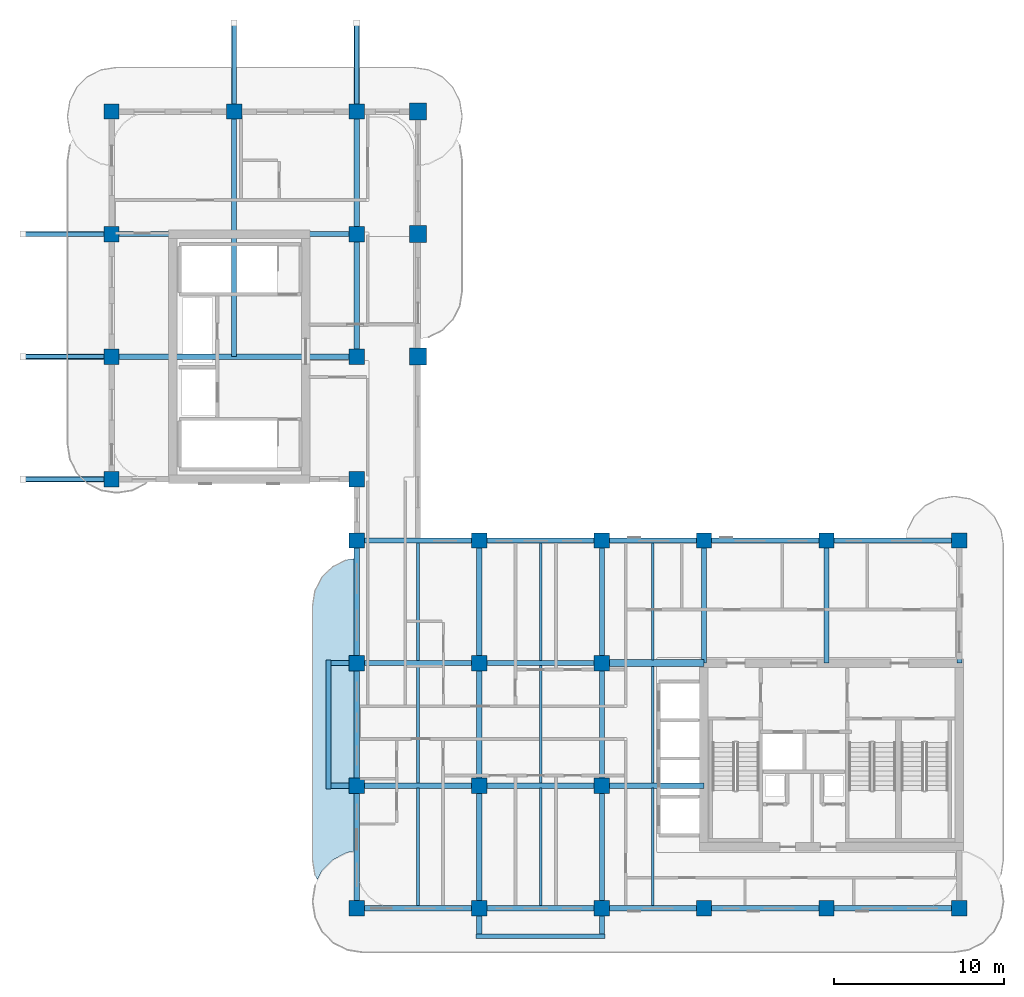
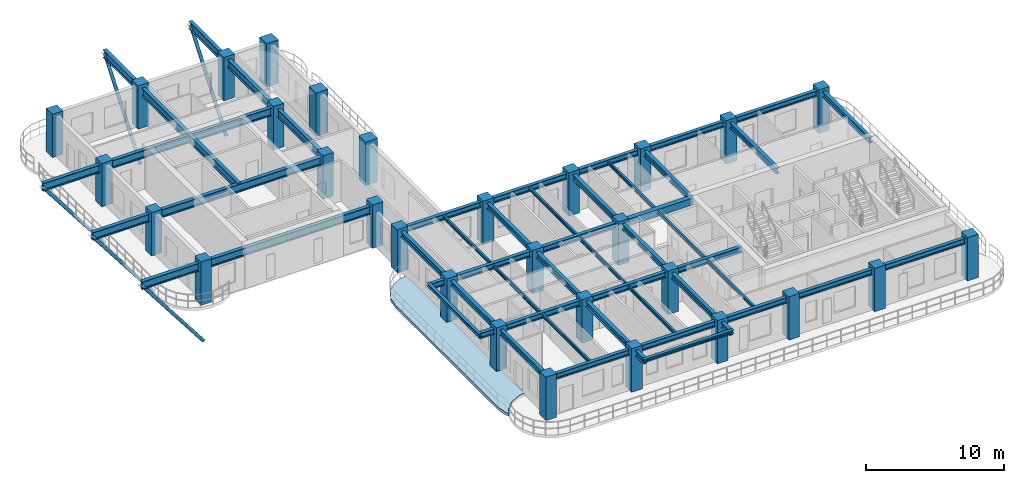
# One storey, part 1 of 14: 44 beams, 30 columns, 5 members, 1 slab.
"""IFC4 building model written with IfcOpenShell, lengths in metres."""

from ifc_helpers import new_model, si_unit, derived_unit, direction, frame, origin, origin_2d, place, context, subcontext, project, spatial, polyline, rectangle, hollow_circle, i_section, outline, extrude, source, transform, mapped, material, layer, layer_set, material_profile, profile_set, type_object, type_shapes, element, save


model = new_model("IFC4")

# Units and contexts
model_context = context("Model", 3, precision=1e-05, world=origin(), true_north=direction((0.0, 1.0)))
body_context = subcontext(model_context, "Body", "Model", "MODEL_VIEW")
ifc_project = project(units=[si_unit("LENGTHUNIT", "METRE"), si_unit("AREAUNIT", "SQUARE_METRE"), si_unit("VOLUMEUNIT", "CUBIC_METRE"), si_unit("PLANEANGLEUNIT", "RADIAN"), si_unit("MASSUNIT", "GRAM", prefix="KILO"), si_unit("THERMODYNAMICTEMPERATUREUNIT", "KELVIN"), si_unit("POWERUNIT", "WATT"), derived_unit("THERMALTRANSMITTANCEUNIT", [(si_unit("POWERUNIT", "WATT"), 1), (si_unit("AREAUNIT", "SQUARE_METRE"), -1), (si_unit("THERMODYNAMICTEMPERATUREUNIT", "KELVIN"), -1)])], contexts=[model_context])

# Site, building, storey
site_placement = place(None, origin())
site = spatial("IfcSite", under=ifc_project, at=site_placement, CompositionType="ELEMENT")
building_placement = place(site_placement, origin())
building = spatial("IfcBuilding", under=site, at=building_placement, Name="Zahravan Archway Hotel and Residences", CompositionType="ELEMENT")
storey_placement = place(building_placement, frame((0.0, 0.0, 209.60009765625)))
storey = spatial("IfcBuildingStorey", under=building, at=storey_placement, Name="L52", CompositionType="ELEMENT", Elevation=209.60009765625)

# Columns
ifc_material_1 = material(Name="Concrete C60/75", Category="concrete")
ifc_material_profile_1 = material_profile(ifc_material_1, rectangle(XDim=1.0, YDim=1.0, at=origin_2d()), Name="RC-COL-1000x1000", Category="concrete")
ifc_profile_set_1 = profile_set([ifc_material_profile_1], Name="Concrete C60/75")
column_type_1 = type_object("IfcColumnType", Name="COL-RC-1000", PredefinedType="COLUMN", material=ifc_profile_set_1)
shared_shape_1 = source(origin(), body_context, "Body", "SweptSolid", [
    extrude(rectangle(XDim=1.0, YDim=1.0, at=origin_2d()), origin(), (0.0, 0.0, 1.0), 3.849853515625),
])
for number, where, z_axis, x_axis, name in (
    (1, (18.0, 32.39990234375, 0.0), (0.0, 0.0, 1.0), (1.0, 0.0, 0.0), "L52 Column 3B-F"),
    (2, (18.0, 39.60009765625, 0.0), (0.0, 0.0, 1.0), (1.0, 0.0, 0.0), "L52 Column 3B-G"),
    (3, (18.0, 46.800048828125, 0.0), (0.0, 0.0, 1.0), (1.0, 0.0, 0.0), "L52 Column 3B-H"),
):
    element("IfcColumn", number, at=place(storey_placement, frame(where, z_axis=z_axis, x_axis=x_axis)), inside=storey, type_object=column_type_1, Name=name, PredefinedType="COLUMN", context=body_context, shape_type="MappedRepresentation", body=[
        mapped(shared_shape_1, transform((0.0, 0.0, 0.0), scale=1.0)),
    ])
ifc_material_profile_2 = material_profile(ifc_material_1, rectangle(XDim=0.89990234375, YDim=0.89990234375, at=origin_2d()), Name="RC-COL-900x900", Category="concrete")
ifc_profile_set_2 = profile_set([ifc_material_profile_2], Name="Concrete C60/75")
column_type_2 = type_object("IfcColumnType", Name="COL-RC-900", PredefinedType="COLUMN", material=ifc_profile_set_2)
shared_shape_2 = source(origin(), body_context, "Body", "SweptSolid", [
    extrude(rectangle(XDim=0.89990234375, YDim=0.89990234375, at=origin_2d()), origin(), (0.0, 0.0, 1.0), 3.849853515625),
])
for number, where, z_axis, x_axis, name in (
    (4, (0.0, 25.199951171875, 0.0), (0.0, 0.0, 1.0), (1.0, 0.0, 0.0), "L52 Column 1-E"),
    (5, (0.0, 32.39990234375, 0.0), (0.0, 0.0, 1.0), (1.0, 0.0, 0.0), "L52 Column 1-F"),
    (6, (0.0, 39.60009765625, 0.0), (0.0, 0.0, 1.0), (1.0, 0.0, 0.0), "L52 Column 1-G"),
    (7, (0.0, 46.800048828125, 0.0), (0.0, 0.0, 1.0), (1.0, 0.0, 0.0), "L52 Column 1-H"),
    (8, (7.199951171875, 46.800048828125, 0.0), (0.0, 0.0, 1.0), (1.0, 0.0, 0.0), "L52 Column 2-H"),
    (9, (14.39990234375, 0.0, 0.0), (0.0, 0.0, 1.0), (1.0, 0.0, 0.0), "L52 Column 3-A"),
    (10, (14.39990234375, 7.199951171875, 0.0), (0.0, 0.0, 1.0), (1.0, 0.0, 0.0), "L52 Column 3-B"),
    (11, (14.39990234375, 14.39990234375, 0.0), (0.0, 0.0, 1.0), (1.0, 0.0, 0.0), "L52 Column 3-C"),
    (12, (14.39990234375, 21.60009765625, 0.0), (0.0, 0.0, 1.0), (1.0, 0.0, 0.0), "L52 Column 3-D"),
    (13, (14.39990234375, 25.199951171875, 0.0), (0.0, 0.0, 1.0), (1.0, 0.0, 0.0), "L52 Column 3-E"),
    (14, (14.39990234375, 32.39990234375, 0.0), (0.0, 0.0, 1.0), (1.0, 0.0, 0.0), "L52 Column 3-F"),
    (15, (14.39990234375, 39.60009765625, 0.0), (0.0, 0.0, 1.0), (1.0, 0.0, 0.0), "L52 Column 3-G"),
    (16, (14.39990234375, 46.800048828125, 0.0), (0.0, 0.0, 1.0), (1.0, 0.0, 0.0), "L52 Column 3-H"),
    (17, (21.60009765625, 0.0, 0.0), (0.0, 0.0, 1.0), (1.0, 0.0, 0.0), "L52 Column 4-A"),
    (18, (21.60009765625, 7.199951171875, 0.0), (0.0, 0.0, 1.0), (1.0, 0.0, 0.0), "L52 Column 4-B"),
    (19, (21.60009765625, 14.39990234375, 0.0), (0.0, 0.0, 1.0), (1.0, 0.0, 0.0), "L52 Column 4-C"),
    (20, (21.60009765625, 21.60009765625, 0.0), (0.0, 0.0, 1.0), (1.0, 0.0, 0.0), "L52 Column 4-D"),
    (21, (28.800048828125, 0.0, 0.0), (0.0, 0.0, 1.0), (1.0, 0.0, 0.0), "L52 Column 5-A"),
    (22, (28.800048828125, 7.199951171875, 0.0), (0.0, 0.0, 1.0), (1.0, 0.0, 0.0), "L52 Column 5-B"),
    (23, (28.800048828125, 14.39990234375, 0.0), (0.0, 0.0, 1.0), (1.0, 0.0, 0.0), "L52 Column 5-C"),
    (24, (28.800048828125, 21.60009765625, 0.0), (0.0, 0.0, 1.0), (1.0, 0.0, 0.0), "L52 Column 5-D"),
    (25, (34.800048828125, 0.0, 0.0), (0.0, 0.0, 1.0), (1.0, 0.0, 0.0), "L52 Column 6-A"),
    (26, (34.800048828125, 21.60009765625, 0.0), (0.0, 0.0, 1.0), (1.0, 0.0, 0.0), "L52 Column 6-D"),
    (27, (42.0, 0.0, 0.0), (0.0, 0.0, 1.0), (1.0, 0.0, 0.0), "L52 Column 7-A"),
    (28, (42.0, 21.60009765625, 0.0), (0.0, 0.0, 1.0), (1.0, 0.0, 0.0), "L52 Column 7-D"),
    (29, (49.800048828125, 0.0, 0.0), (0.0, 0.0, 1.0), (1.0, 0.0, 0.0), "L52 Column 8-A"),
    (30, (49.800048828125, 21.60009765625, 0.0), (0.0, 0.0, 1.0), (1.0, 0.0, 0.0), "L52 Column 8-D"),
):
    element("IfcColumn", number, at=place(storey_placement, frame(where, z_axis=z_axis, x_axis=x_axis)), inside=storey, type_object=column_type_2, Name=name, PredefinedType="COLUMN", context=body_context, shape_type="MappedRepresentation", body=[
        mapped(shared_shape_2, transform((0.0, 0.0, 0.0), scale=1.0)),
    ])

# Beams
ifc_material_2 = material(Name="Structural Steel S355JR", Category="steel")
ifc_material_profile_3 = material_profile(ifc_material_2, i_section(OverallWidth=0.280029296875, OverallDepth=0.280029296875, WebThickness=0.010498046875, FlangeThickness=0.01806640625, FilletRadius=0.02392578125, at=origin_2d()), Name="HEB 280", Category="steel")
ifc_profile_set_3 = profile_set([ifc_material_profile_3], Name="Structural Steel S355JR")
beam_type_1 = type_object("IfcBeamType", Name="BM-SPN-HEB280", PredefinedType="SPANDREL", material=ifc_profile_set_3)
shared_shape_3 = source(origin(), body_context, "Body", "SweptSolid", [
    extrude(i_section(OverallWidth=0.280029296875, OverallDepth=0.280029296875, WebThickness=0.010498046875, FlangeThickness=0.01806640625, FilletRadius=0.02392578125, at=origin_2d()), origin(), (0.0, 0.0, 1.0), 7.56005859375),
])
type_shapes(beam_type_1, [shared_shape_3])
for number, where, z_axis, x_axis, name in (
    (31, (12.75, 7.02001953125, 3.4599609375), (0.0, 1.0, 0.0), (-1.0, 0.0, 0.0), "L53 WA Balcony Edge Spandrel"),
    (32, (21.419921875, -1.64990234375, 3.4599609375), (1.0, 0.0, 0.0), (0.0, 1.0, 0.0), "L53 SA Balcony Edge Spandrel"),
):
    element("IfcBeam", number, at=place(storey_placement, frame(where, z_axis=z_axis, x_axis=x_axis)), inside=storey, type_object=beam_type_1, Name=name, PredefinedType="SPANDREL", context=body_context, shape_type="MappedRepresentation", body=[
        mapped(shared_shape_3, transform((0.0, 0.0, 0.0), scale=1.0)),
    ])
ifc_material_profile_4 = material_profile(ifc_material_1, rectangle(XDim=0.39990234375, YDim=0.60009765625, at=origin_2d()), Name="RC-LNT-400x600", Category="concrete")
ifc_profile_set_4 = profile_set([ifc_material_profile_4], Name="Concrete C60/75")
beam_type_2 = type_object("IfcBeamType", Name="LNT-RC-400x600", PredefinedType="LINTEL", material=ifc_profile_set_4)
shared_shape_4 = source(origin(), body_context, "Body", "SweptSolid", [
    extrude(rectangle(XDim=0.39990234375, YDim=0.60009765625, at=origin_2d()), origin(), (0.0, 0.0, 1.0), 6.0),
])
type_shapes(beam_type_2, [shared_shape_4])
beam_placement = place(storey_placement, frame((28.800048828125, 14.39990234375, 3.2998046875), z_axis=(1.0, 0.0, 0.0), x_axis=(0.0, 1.0, 0.0)))
element("IfcBeam", 33, at=beam_placement, inside=storey, type_object=beam_type_2, Name="L52 Core A Coupling Lintel Beam", PredefinedType="LINTEL", context=body_context, shape_type="MappedRepresentation", body=[
    mapped(shared_shape_4, transform((0.0, 0.0, 0.0), scale=1.0)),
])
ifc_material_profile_5 = material_profile(ifc_material_2, i_section(OverallWidth=0.300048828125, OverallDepth=0.5, WebThickness=0.014404296875, FlangeThickness=0.028076171875, FilletRadius=0.027099609375, at=origin_2d()), Name="HEB 500", Category="steel")
ifc_profile_set_5 = profile_set([ifc_material_profile_5], Name="Structural Steel S355JR")
beam_type_3 = type_object("IfcBeamType", Name="BM-PRI-HEB500", PredefinedType="BEAM", material=ifc_profile_set_5)
shared_shape_5 = source(origin(), body_context, "Body", "SweptSolid", [
    extrude(i_section(OverallWidth=0.300048828125, OverallDepth=0.5, WebThickness=0.014404296875, FlangeThickness=0.028076171875, FilletRadius=0.027099609375, at=origin_2d()), origin(), (0.0, 0.0, 1.0), 7.2001953125),
])
type_shapes(beam_type_3, [shared_shape_5])
for number, where, z_axis, x_axis, name in (
    (34, (14.39990234375, 0.0, 3.349853515625), (1.0, 0.0, 0.0), (0.0, 1.0, 0.0), "L52 Primary Girder EW-01"),
    (35, (14.39990234375, 21.60009765625, 3.349853515625), (1.0, 0.0, 0.0), (0.0, 1.0, 0.0), "L52 Primary Girder EW-11"),
    (36, (14.39990234375, 14.39990234375, 3.349853515625), (0.0, 1.0, 0.0), (-1.0, 0.0, 0.0), "L52 Primary Girder NS-18"),
    (37, (21.60009765625, 14.39990234375, 3.349853515625), (0.0, 1.0, 0.0), (-1.0, 0.0, 0.0), "L52 Primary Girder NS-21"),
    (38, (28.800048828125, 14.39990234375, 3.349853515625), (0.0, 1.0, 0.0), (-1.0, 0.0, 0.0), "L52 Primary Girder NS-24"),
    (39, (34.800048828125, 14.39990234375, 3.349853515625), (0.0, 1.0, 0.0), (-1.0, 0.0, 0.0), "L52 Primary Girder NS-25"),
    (40, (42.0, 14.39990234375, 3.349853515625), (0.0, 1.0, 0.0), (-1.0, 0.0, 0.0), "L52 Primary Girder NS-26"),
    (41, (49.800048828125, 14.39990234375, 3.349853515625), (0.0, 1.0, 0.0), (-1.0, 0.0, 0.0), "L52 Primary Girder NS-27"),
):
    element("IfcBeam", number, at=place(storey_placement, frame(where, z_axis=z_axis, x_axis=x_axis)), inside=storey, type_object=beam_type_3, Name=name, PredefinedType="BEAM", context=body_context, shape_type="MappedRepresentation", body=[
        mapped(shared_shape_5, transform((0.0, 0.0, 0.0), scale=1.0)),
    ])
shared_shape_6 = source(origin(), body_context, "Body", "SweptSolid", [
    extrude(i_section(OverallWidth=0.300048828125, OverallDepth=0.5, WebThickness=0.014404296875, FlangeThickness=0.028076171875, FilletRadius=0.027099609375, at=origin_2d()), origin(), (0.0, 0.0, 1.0), 7.199951171875),
])
for number, where, z_axis, x_axis, name in (
    (42, (21.60009765625, 0.0, 3.349853515625), (1.0, 0.0, 0.0), (0.0, 1.0, 0.0), "L52 Primary Girder EW-02"),
    (43, (34.800048828125, 0.0, 3.349853515625), (1.0, 0.0, 0.0), (0.0, 1.0, 0.0), "L52 Primary Girder EW-04"),
    (44, (21.60009765625, 7.199951171875, 3.349853515625), (1.0, 0.0, 0.0), (0.0, 1.0, 0.0), "L52 Primary Girder EW-07"),
    (45, (21.60009765625, 14.39990234375, 3.349853515625), (1.0, 0.0, 0.0), (0.0, 1.0, 0.0), "L52 Primary Girder EW-10"),
    (46, (21.60009765625, 21.60009765625, 3.349853515625), (1.0, 0.0, 0.0), (0.0, 1.0, 0.0), "L52 Primary Girder EW-12"),
    (47, (34.800048828125, 21.60009765625, 3.349853515625), (1.0, 0.0, 0.0), (0.0, 1.0, 0.0), "L52 Primary Girder EW-14"),
    (48, (14.39990234375, 0.0, 3.349853515625), (0.0, 1.0, 0.0), (-1.0, 0.0, 0.0), "L52 Primary Girder NS-16"),
    (49, (14.39990234375, 7.199951171875, 3.349853515625), (0.0, 1.0, 0.0), (-1.0, 0.0, 0.0), "L52 Primary Girder NS-17"),
    (50, (21.60009765625, 7.199951171875, 3.349853515625), (0.0, 1.0, 0.0), (-1.0, 0.0, 0.0), "L52 Primary Girder NS-20"),
    (51, (28.800048828125, 7.199951171875, 3.349853515625), (0.0, 1.0, 0.0), (-1.0, 0.0, 0.0), "L52 Primary Girder NS-23"),
):
    element("IfcBeam", number, at=place(storey_placement, frame(where, z_axis=z_axis, x_axis=x_axis)), inside=storey, type_object=beam_type_3, Name=name, PredefinedType="BEAM", context=body_context, shape_type="MappedRepresentation", body=[
        mapped(shared_shape_6, transform((0.0, 0.0, 0.0), scale=1.0)),
    ])
shared_shape_7 = source(origin(), body_context, "Body", "SweptSolid", [
    extrude(i_section(OverallWidth=0.300048828125, OverallDepth=0.5, WebThickness=0.014404296875, FlangeThickness=0.028076171875, FilletRadius=0.027099609375, at=origin_2d()), origin(), (0.0, 0.0, 1.0), 6.0),
])
for number, where, z_axis, x_axis, name in (
    (52, (28.800048828125, 0.0, 3.349853515625), (1.0, 0.0, 0.0), (0.0, 1.0, 0.0), "L52 Primary Girder EW-03"),
    (53, (28.800048828125, 7.199951171875, 3.349853515625), (1.0, 0.0, 0.0), (0.0, 1.0, 0.0), "L52 Primary Girder EW-08"),
    (54, (28.800048828125, 21.60009765625, 3.349853515625), (1.0, 0.0, 0.0), (0.0, 1.0, 0.0), "L52 Primary Girder EW-13"),
):
    element("IfcBeam", number, at=place(storey_placement, frame(where, z_axis=z_axis, x_axis=x_axis)), inside=storey, type_object=beam_type_3, Name=name, PredefinedType="BEAM", context=body_context, shape_type="MappedRepresentation", body=[
        mapped(shared_shape_7, transform((0.0, 0.0, 0.0), scale=1.0)),
    ])
shared_shape_8 = source(origin(), body_context, "Body", "SweptSolid", [
    extrude(i_section(OverallWidth=0.300048828125, OverallDepth=0.5, WebThickness=0.014404296875, FlangeThickness=0.028076171875, FilletRadius=0.027099609375, at=origin_2d()), origin(), (0.0, 0.0, 1.0), 7.800048828125),
])
for number, where, z_axis, x_axis, name in (
    (55, (42.0, 0.0, 3.349853515625), (1.0, 0.0, 0.0), (0.0, 1.0, 0.0), "L52 Primary Girder EW-05"),
    (56, (42.0, 21.60009765625, 3.349853515625), (1.0, 0.0, 0.0), (0.0, 1.0, 0.0), "L52 Primary Girder EW-15"),
):
    element("IfcBeam", number, at=place(storey_placement, frame(where, z_axis=z_axis, x_axis=x_axis)), inside=storey, type_object=beam_type_3, Name=name, PredefinedType="BEAM", context=body_context, shape_type="MappedRepresentation", body=[
        mapped(shared_shape_8, transform((0.0, 0.0, 0.0), scale=1.0)),
    ])
shared_shape_9 = source(origin(), body_context, "Body", "SweptSolid", [
    extrude(i_section(OverallWidth=0.300048828125, OverallDepth=0.5, WebThickness=0.014404296875, FlangeThickness=0.028076171875, FilletRadius=0.027099609375, at=origin_2d()), origin(), (0.0, 0.0, 1.0), 8.85009765625),
])
for number, where, z_axis, x_axis, name in (
    (57, (12.75, 7.199951171875, 3.349853515625), (1.0, 0.0, 0.0), (0.0, 1.0, 0.0), "L52 Primary Girder EW-06"),
    (58, (12.75, 14.39990234375, 3.349853515625), (1.0, 0.0, 0.0), (0.0, 1.0, 0.0), "L52 Primary Girder EW-09"),
):
    element("IfcBeam", number, at=place(storey_placement, frame(where, z_axis=z_axis, x_axis=x_axis)), inside=storey, type_object=beam_type_3, Name=name, PredefinedType="BEAM", context=body_context, shape_type="MappedRepresentation", body=[
        mapped(shared_shape_9, transform((0.0, 0.0, 0.0), scale=1.0)),
    ])
shared_shape_10 = source(origin(), body_context, "Body", "SweptSolid", [
    extrude(i_section(OverallWidth=0.300048828125, OverallDepth=0.5, WebThickness=0.014404296875, FlangeThickness=0.028076171875, FilletRadius=0.027099609375, at=origin_2d()), origin(), (0.0, 0.0, 1.0), 8.849853515625),
])
for number, where, z_axis, x_axis, name in (
    (59, (21.60009765625, -1.64990234375, 3.349853515625), (0.0, 1.0, 0.0), (-1.0, 0.0, 0.0), "L52 Primary Girder NS-19"),
    (60, (28.800048828125, -1.64990234375, 3.349853515625), (0.0, 1.0, 0.0), (-1.0, 0.0, 0.0), "L52 Primary Girder NS-22"),
):
    element("IfcBeam", number, at=place(storey_placement, frame(where, z_axis=z_axis, x_axis=x_axis)), inside=storey, type_object=beam_type_3, Name=name, PredefinedType="BEAM", context=body_context, shape_type="MappedRepresentation", body=[
        mapped(shared_shape_10, transform((0.0, 0.0, 0.0), scale=1.0)),
    ])
ifc_material_profile_6 = material_profile(ifc_material_2, i_section(OverallWidth=0.14990234375, OverallDepth=0.300048828125, WebThickness=0.007080078125, FlangeThickness=0.0107421875, FilletRadius=0.014892578125, at=origin_2d()), Name="IPE 300", Category="steel")
ifc_profile_set_6 = profile_set([ifc_material_profile_6], Name="Structural Steel S355JR")
beam_type_4 = type_object("IfcBeamType", Name="BM-JST-IPE300", PredefinedType="JOIST", material=ifc_profile_set_6)
shared_shape_11 = source(origin(), body_context, "Body", "SweptSolid", [
    extrude(i_section(OverallWidth=0.14990234375, OverallDepth=0.300048828125, WebThickness=0.007080078125, FlangeThickness=0.0107421875, FilletRadius=0.014892578125, at=origin_2d()), origin(), (0.0, 0.0, 1.0), 6.904052734375),
])
type_shapes(beam_type_4, [shared_shape_11])
for number, where, z_axis, x_axis, name in (
    (61, (18.0, 0.14794921875, 3.449951171875), (0.0, 1.0, 0.0), (-1.0, 0.0, 0.0), "L52 Composite Floor Joist 01"),
    (62, (25.199951171875, 0.14794921875, 3.449951171875), (0.0, 1.0, 0.0), (-1.0, 0.0, 0.0), "L52 Composite Floor Joist 02"),
    (63, (31.800048828125, 0.14794921875, 3.449951171875), (0.0, 1.0, 0.0), (-1.0, 0.0, 0.0), "L52 Composite Floor Joist 03"),
    (64, (18.0, 7.347900390625, 3.449951171875), (0.0, 1.0, 0.0), (-1.0, 0.0, 0.0), "L52 Composite Floor Joist 04"),
    (65, (25.199951171875, 7.347900390625, 3.449951171875), (0.0, 1.0, 0.0), (-1.0, 0.0, 0.0), "L52 Composite Floor Joist 05"),
):
    element("IfcBeam", number, at=place(storey_placement, frame(where, z_axis=z_axis, x_axis=x_axis)), inside=storey, type_object=beam_type_4, Name=name, PredefinedType="JOIST", context=body_context, shape_type="MappedRepresentation", body=[
        mapped(shared_shape_11, transform((0.0, 0.0, 0.0), scale=1.0)),
    ])
shared_shape_12 = source(origin(), body_context, "Body", "SweptSolid", [
    extrude(i_section(OverallWidth=0.14990234375, OverallDepth=0.300048828125, WebThickness=0.007080078125, FlangeThickness=0.0107421875, FilletRadius=0.014892578125, at=origin_2d()), origin(), (0.0, 0.0, 1.0), 6.85400390625),
])
for number, where, z_axis, x_axis, name in (
    (66, (31.800048828125, 7.347900390625, 3.449951171875), (0.0, 1.0, 0.0), (-1.0, 0.0, 0.0), "L52 Composite Floor Joist 06"),
    (67, (31.800048828125, 14.597900390625, 3.449951171875), (0.0, 1.0, 0.0), (-1.0, 0.0, 0.0), "L52 Composite Floor Joist 07"),
):
    element("IfcBeam", number, at=place(storey_placement, frame(where, z_axis=z_axis, x_axis=x_axis)), inside=storey, type_object=beam_type_4, Name=name, PredefinedType="JOIST", context=body_context, shape_type="MappedRepresentation", body=[
        mapped(shared_shape_12, transform((0.0, 0.0, 0.0), scale=1.0)),
    ])
shared_shape_13 = source(origin(), body_context, "Body", "SweptSolid", [
    extrude(i_section(OverallWidth=0.14990234375, OverallDepth=0.300048828125, WebThickness=0.007080078125, FlangeThickness=0.0107421875, FilletRadius=0.014892578125, at=origin_2d()), origin(), (0.0, 0.0, 1.0), 6.90380859375),
])
for number, where, z_axis, x_axis, name in (
    (68, (18.0, 14.548095703125, 3.449951171875), (0.0, 1.0, 0.0), (-1.0, 0.0, 0.0), "L52 Composite Floor Joist 08"),
    (69, (25.199951171875, 14.548095703125, 3.449951171875), (0.0, 1.0, 0.0), (-1.0, 0.0, 0.0), "L52 Composite Floor Joist 09"),
):
    element("IfcBeam", number, at=place(storey_placement, frame(where, z_axis=z_axis, x_axis=x_axis)), inside=storey, type_object=beam_type_4, Name=name, PredefinedType="JOIST", context=body_context, shape_type="MappedRepresentation", body=[
        mapped(shared_shape_13, transform((0.0, 0.0, 0.0), scale=1.0)),
    ])
ifc_material_3 = material(Name="Structural Steel S355J2", Category="steel")
ifc_material_profile_7 = material_profile(ifc_material_3, i_section(OverallWidth=0.300048828125, OverallDepth=0.699951171875, WebThickness=0.01708984375, FlangeThickness=0.031982421875, FilletRadius=0.027099609375, at=origin_2d()), Name="HEB 700", Category="steel")
ifc_profile_set_7 = profile_set([ifc_material_profile_7], Name="Structural Steel S355J2")
beam_type_5 = type_object("IfcBeamType", Name="BM-CANOPY-HEB700", PredefinedType="BEAM", material=ifc_profile_set_7)
shared_shape_14 = source(origin(), body_context, "Body", "SweptSolid", [
    extrude(i_section(OverallWidth=0.300048828125, OverallDepth=0.699951171875, WebThickness=0.01708984375, FlangeThickness=0.031982421875, FilletRadius=0.027099609375, at=origin_2d()), origin(), (0.0, 0.0, 1.0), 19.599853515625),
])
type_shapes(beam_type_5, [shared_shape_14])
for number, where, z_axis, x_axis, name in (
    (70, (14.39990234375, 25.199951171875, 3.199951171875), (-1.0, 0.0, 0.0), (0.0, -1.0, 0.0), "Wing B Canopy Girder W1"),
    (71, (14.39990234375, 32.39990234375, 3.199951171875), (-1.0, 0.0, 0.0), (0.0, -1.0, 0.0), "Wing B Canopy Girder W2"),
    (72, (14.39990234375, 39.60009765625, 3.199951171875), (-1.0, 0.0, 0.0), (0.0, -1.0, 0.0), "Wing B Canopy Girder W3"),
):
    element("IfcBeam", number, at=place(storey_placement, frame(where, z_axis=z_axis, x_axis=x_axis)), inside=storey, type_object=beam_type_5, Name=name, PredefinedType="BEAM", context=body_context, shape_type="MappedRepresentation", body=[
        mapped(shared_shape_14, transform((0.0, 0.0, 0.0), scale=1.0)),
    ])

# Members
ifc_material_profile_8 = material_profile(ifc_material_3, hollow_circle(Radius=0.136474609375, WallThickness=0.012451171875, at=origin_2d()), Name="CHS 273x12.5", Category="steel")
ifc_profile_set_8 = profile_set([ifc_material_profile_8], Name="Structural Steel S355J2")
member_type = type_object("IfcMemberType", Name="MEM-CHAJJA-CHS273", PredefinedType="STRUT", material=ifc_profile_set_8)
shared_shape_15 = source(origin(), body_context, "Body", "SweptSolid", [
    extrude(hollow_circle(Radius=0.136474609375, WallThickness=0.012451171875, at=origin_2d()), origin(), (0.0, 0.0, 1.0), 8.520751953125),
])
type_shapes(member_type, [shared_shape_15])
for number, where, z_axis, x_axis, name in (
    (73, (0.0, 25.199951171875, -3.550048828125), (-0.610274181138, 0.0, 0.792190269971), (0.0, -1.0, 0.0), "Wing B Chhajja Raking Canopy Strut W1"),
    (74, (0.0, 32.39990234375, -3.550048828125), (-0.610274181138, 0.0, 0.792190269971), (0.0, -1.0, 0.0), "Wing B Chhajja Raking Canopy Strut W2"),
    (75, (0.0, 39.60009765625, -3.550048828125), (-0.610274181138, 0.0, 0.792190269971), (0.0, -1.0, 0.0), "Wing B Chhajja Raking Canopy Strut W3"),
    (76, (7.199951171875, 46.800048828125, -3.550048828125), (0.0, 0.610274181138, 0.792190269971), (-1.0, 0.0, 0.0), "Wing B Chhajja Raking Canopy Strut N1"),
    (77, (14.39990234375, 46.800048828125, -3.550048828125), (0.0, 0.610274181138, 0.792190269971), (-1.0, 0.0, 0.0), "Wing B Chhajja Raking Canopy Strut N2"),
):
    element("IfcMember", number, at=place(storey_placement, frame(where, z_axis=z_axis, x_axis=x_axis)), inside=storey, type_object=member_type, Name=name, PredefinedType="STRUT", context=body_context, shape_type="MappedRepresentation", body=[
        mapped(shared_shape_15, transform((0.0, 0.0, 0.0), scale=1.0)),
    ])

# Beams
shared_shape_16 = source(origin(), body_context, "Body", "SweptSolid", [
    extrude(i_section(OverallWidth=0.300048828125, OverallDepth=0.699951171875, WebThickness=0.01708984375, FlangeThickness=0.031982421875, FilletRadius=0.027099609375, at=origin_2d()), origin(), (0.0, 0.0, 1.0), 19.60009765625),
])
for number, where, z_axis, x_axis, name in (
    (78, (7.199951171875, 32.39990234375, 3.199951171875), (0.0, 1.0, 0.0), (-1.0, 0.0, 0.0), "Wing B Canopy Girder N1"),
    (79, (14.39990234375, 32.39990234375, 3.199951171875), (0.0, 1.0, 0.0), (-1.0, 0.0, 0.0), "Wing B Canopy Girder N2"),
):
    element("IfcBeam", number, at=place(storey_placement, frame(where, z_axis=z_axis, x_axis=x_axis)), inside=storey, type_object=beam_type_5, Name=name, PredefinedType="BEAM", context=body_context, shape_type="MappedRepresentation", body=[
        mapped(shared_shape_16, transform((0.0, 0.0, 0.0), scale=1.0)),
    ])

# Slab
ifc_material_4 = material(Name="Concrete C45/55", Category="concrete")
ifc_layer = layer(ifc_material_4, 0.25, Name="Concrete C45/55", Category="concrete")
ifc_layer_set = layer_set([ifc_layer], Name="Concrete C45/55")
slab_type = type_object("IfcSlabType", Name="SLB-BALC-250", PredefinedType="FLOOR", material=ifc_layer_set)
slab_placement = place(storey_placement, frame((0.0, 0.0, -0.25)))
element("IfcSlab", 80, at=slab_placement, inside=storey, type_object=slab_type, Name="L52 Wing A West Rounded Balcony Band", PredefinedType="FLOOR", context=body_context, shape_type="SweptSolid", body=[
    extrude(outline(polyline([(11.939453125, 1.96923828125), (11.800048828125, 2.85009765625), (11.800048828125, 17.75), (11.939453125, 18.630615234375), (12.34423828125, 19.42529296875), (12.974853515625, 20.0556640625), (13.769287109375, 20.46044921875), (14.3798828125, 20.55712890625), (14.3798828125, 3.361328125), (14.37890625, 3.361328125), (14.376953125, 3.361083984375), (13.835205078125, 3.275390625), (13.833251953125, 3.27490234375), (13.831298828125, 3.2744140625), (13.829345703125, 3.2734375), (13.0068359375, 2.8544921875), (13.005126953125, 2.853515625), (13.00341796875, 2.85205078125), (13.001953125, 2.8505859375), (12.349365234375, 2.197998046875), (12.347900390625, 2.196533203125), (12.3466796875, 2.19482421875), (12.345703125, 2.193115234375), (12.08544921875, 1.6826171875), (11.939453125, 1.96923828125)])), origin(), (0.0, 0.0, 1.0), 0.25),
])

save(model, "model.ifc")
